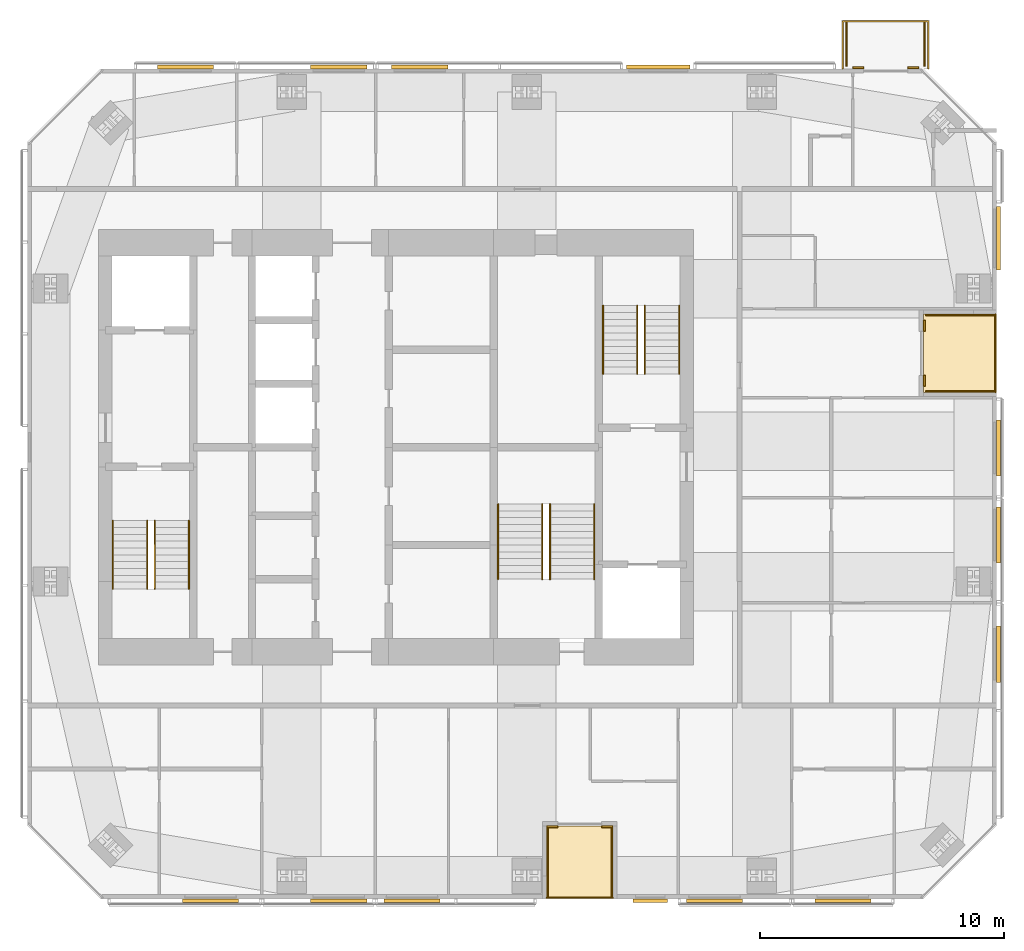
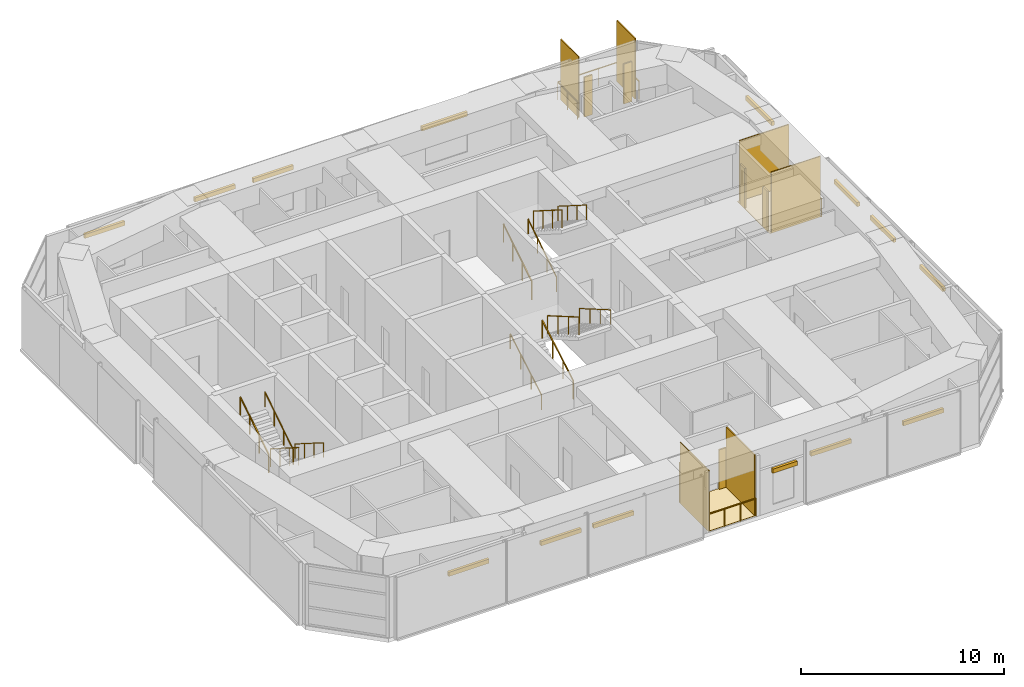
# One storey, part 20 of 20: 26 shading devices, 15 railings, 2 coverings.
"""IFC4 building model written with IfcOpenShell, lengths in metres."""

from ifc_helpers import new_model, si_unit, direction, frame, origin, origin_2d, place, context, subcontext, project, spatial, polyline, rectangle, circle, outline, extrude, material, layer, layer_set, constituent, constituent_set, type_object, element, save


model = new_model("IFC4")

# Units and contexts
model_context = context("Model", 3, precision=1e-05, world=origin(), true_north=direction((0.0, 1.0)))
body_context = subcontext(model_context, "Body", "Model", "MODEL_VIEW")
ifc_project = project(units=[si_unit("LENGTHUNIT", "METRE"), si_unit("AREAUNIT", "SQUARE_METRE"), si_unit("VOLUMEUNIT", "CUBIC_METRE"), si_unit("PLANEANGLEUNIT", "RADIAN"), si_unit("MASSUNIT", "GRAM", prefix="KILO")], contexts=[model_context])

# Site, building, storey
site_placement = place(None, origin())
site = spatial("IfcSite", under=ifc_project, at=site_placement, CompositionType="ELEMENT")
building_placement = place(site_placement, origin())
building = spatial("IfcBuilding", under=site, at=building_placement, Name="Jalousie Tower", CompositionType="ELEMENT")
storey_placement = place(building_placement, frame((0.0, 0.0, 259.949951171875)))
storey = spatial("IfcBuildingStorey", under=building, at=storey_placement, Name="L71", CompositionType="ELEMENT", Elevation=259.949951171875)

# Shading devices
ifc_material_1 = material(Name="Aluminium impact-rated louvred storm shutter", Category="aluminium")
shading_device_type_1 = type_object("IfcShadingDeviceType", Name="BI-FOLD STORM SHUTTER 900x2400", PredefinedType="SHUTTER", material=ifc_material_1)
for number, where, z_axis, x_axis, name in (
    (1, (38.300048828125, 2.9599609375, 0.0), (0.0, 0.0, 1.0), (1.0, 0.0, 0.0), "Loggia storm shutter L71"),
    (2, (40.550048828125, 2.9599609375, 0.0), (0.0, 0.0, 1.0), (1.0, 0.0, 0.0), "Loggia storm shutter L71"),
    (3, (53.5400390625, 21.22509765625, 0.0), (0.0, 0.0, 1.0), (0.0, 1.0, 0.0), "Loggia storm shutter L71"),
    (4, (53.5400390625, 23.47509765625, 0.0), (0.0, 0.0, 1.0), (0.0, 1.0, 0.0), "Loggia storm shutter L71"),
    (5, (53.07373046875, 34.0400390625, 0.0), (0.0, 0.0, 1.0), (-1.0, 0.0, 0.0), "Balcony storm shutter L71"),
    (6, (50.82373046875, 34.0400390625, 0.0), (0.0, 0.0, 1.0), (-1.0, 0.0, 0.0), "Balcony storm shutter L71"),
):
    element("IfcShadingDevice", number, at=place(storey_placement, frame(where, z_axis=z_axis, x_axis=x_axis)), inside=storey, type_object=shading_device_type_1, Name=name, PredefinedType="SHUTTER", context=body_context, shape_type="SweptSolid", body=[
        extrude(rectangle(XDim=0.449951171875, YDim=0.080078125, at=origin_2d()), origin(), (0.0, 0.0, 1.0), 2.39990234375),
    ])

# Railings
ifc_material_2 = material(Name="Powder-coated aluminium fretwork", Category="aluminium")
railing_type_1 = type_object("IfcRailingType", Name="FRETWORK BALUSTRADE 1100", PredefinedType="BALUSTRADE", material=ifc_material_2)
railing_1_placement = place(storey_placement, frame((38.074951171875, 0.050048828125, 0.0)))
element("IfcRailing", 7, at=railing_1_placement, inside=storey, type_object=railing_type_1, Name="Loggia fretwork balustrade L71", PredefinedType="BALUSTRADE", context=body_context, shape_type="SweptSolid", body=[
    extrude(rectangle(XDim=0.048095703125, YDim=0.048095703125, at=origin_2d()), frame((0.0, 0.0, 1.076171875), z_axis=(1.0, 0.0, 0.0), x_axis=(0.0, 1.0, 0.0)), (0.0, 0.0, 1.0), 2.699951171875),
    extrude(circle(Radius=0.02099609375, at=origin_2d()), origin(), (0.0, 0.0, 1.0), 1.052001953125),
    extrude(circle(Radius=0.02099609375, at=origin_2d()), frame((0.89990234375, 0.0, 0.0)), (0.0, 0.0, 1.0), 1.052001953125),
    extrude(circle(Radius=0.02099609375, at=origin_2d()), frame((1.800048828125, 0.0, 0.0)), (0.0, 0.0, 1.0), 1.052001953125),
    extrude(circle(Radius=0.02099609375, at=origin_2d()), frame((2.699951171875, 0.0, 0.0)), (0.0, 0.0, 1.0), 1.052001953125),
])
railing_2_placement = place(storey_placement, frame((56.449951171875, 20.75, 0.0)))
element("IfcRailing", 8, at=railing_2_placement, inside=storey, type_object=railing_type_1, Name="Loggia fretwork balustrade L71", PredefinedType="BALUSTRADE", context=body_context, shape_type="SweptSolid", body=[
    extrude(rectangle(XDim=0.048095703125, YDim=0.048095703125, at=origin_2d()), frame((0.0, 0.0, 1.076171875), z_axis=(0.0, 1.0, 0.0), x_axis=(-1.0, 0.0, 0.0)), (0.0, 0.0, 1.0), 3.199951171875),
    extrude(circle(Radius=0.02099609375, at=origin_2d()), origin(), (0.0, 0.0, 1.0), 1.052001953125),
    extrude(circle(Radius=0.02099609375, at=origin_2d()), frame((0.0, 1.066650390625, 0.0)), (0.0, 0.0, 1.0), 1.052001953125),
    extrude(circle(Radius=0.02099609375, at=origin_2d()), frame((0.0, 2.13330078125, 0.0)), (0.0, 0.0, 1.0), 1.052001953125),
    extrude(circle(Radius=0.02099609375, at=origin_2d()), frame((0.0, 3.199951171875, 0.0)), (0.0, 0.0, 1.0), 1.052001953125),
])
railing_3_placement = place(storey_placement, frame((53.69873046875, 34.0, 0.0)))
element("IfcRailing", 9, at=railing_3_placement, inside=storey, type_object=railing_type_1, Name="Balcony fretwork balustrade L71", PredefinedType="BALUSTRADE", context=body_context, shape_type="SweptSolid", body=[
    extrude(rectangle(XDim=0.048095703125, YDim=0.048095703125, at=origin_2d()), frame((0.0, 0.0, 1.076171875), z_axis=(0.0, 1.0, 0.0), x_axis=(-1.0, 0.0, 0.0)), (0.0, 0.0, 1.0), 1.949951171875),
    extrude(rectangle(XDim=0.048095703125, YDim=0.048095703125, at=origin_2d()), frame((0.0, 1.949951171875, 1.076171875), z_axis=(-1.0, 0.0, 0.0), x_axis=(0.0, -1.0, 0.0)), (0.0, 0.0, 1.0), 3.5),
    extrude(rectangle(XDim=0.048095703125, YDim=0.048095703125, at=origin_2d()), frame((-3.5, 1.949951171875, 1.076171875), z_axis=(0.0, -1.0, 0.0), x_axis=(1.0, 0.0, 0.0)), (0.0, 0.0, 1.0), 1.949951171875),
    extrude(circle(Radius=0.02099609375, at=origin_2d()), origin(), (0.0, 0.0, 1.0), 1.052001953125),
    extrude(circle(Radius=0.02099609375, at=origin_2d()), frame((0.0, 0.97509765625, 0.0)), (0.0, 0.0, 1.0), 1.052001953125),
    extrude(circle(Radius=0.02099609375, at=origin_2d()), frame((0.0, 1.949951171875, 0.0)), (0.0, 0.0, 1.0), 1.052001953125),
    extrude(circle(Radius=0.02099609375, at=origin_2d()), frame((-1.166748046875, 1.949951171875, 0.0)), (0.0, 0.0, 1.0), 1.052001953125),
    extrude(circle(Radius=0.02099609375, at=origin_2d()), frame((-2.333251953125, 1.949951171875, 0.0)), (0.0, 0.0, 1.0), 1.052001953125),
    extrude(circle(Radius=0.02099609375, at=origin_2d()), frame((-3.5, 1.949951171875, 0.0)), (0.0, 0.0, 1.0), 1.052001953125),
    extrude(circle(Radius=0.02099609375, at=origin_2d()), frame((-3.5, 0.97509765625, 0.0)), (0.0, 0.0, 1.0), 1.052001953125),
    extrude(circle(Radius=0.02099609375, at=origin_2d()), frame((-3.5, 0.0, 0.0)), (0.0, 0.0, 1.0), 1.052001953125),
])

# Shading devices
ifc_material_3 = material(Name="Powder-coated aluminium louvres", Category="aluminium")
ifc_layer_1 = layer(ifc_material_3, 0.06005859375)
ifc_layer_set_1 = layer_set([ifc_layer_1], Name="Powder-coated aluminium louvres")
shading_device_type_2 = type_object("IfcShadingDeviceType", Name="JALOUSIE LOUVRE SCREEN", PredefinedType="JALOUSIE", material=ifc_layer_set_1)
for number, where, z_axis, x_axis, name in (
    (10, (38.10498046875, 1.5, 0.0), (0.0, 0.0, 1.0), (1.0, 0.0, 0.0), "Loggia jalousie louvre screen L71"),
    (11, (40.7451171875, 1.5, 0.0), (0.0, 0.0, 1.0), (1.0, 0.0, 0.0), "Loggia jalousie louvre screen L71"),
    (12, (55.0, 20.780029296875, 0.0), (0.0, 0.0, 1.0), (0.0, 1.0, 0.0), "Loggia jalousie louvre screen L71"),
    (13, (55.0, 23.919921875, 0.0), (0.0, 0.0, 1.0), (0.0, 1.0, 0.0), "Loggia jalousie louvre screen L71"),
):
    element("IfcShadingDevice", number, at=place(storey_placement, frame(where, z_axis=z_axis, x_axis=x_axis)), inside=storey, type_object=shading_device_type_2, Name=name, PredefinedType="JALOUSIE", context=body_context, shape_type="SweptSolid", body=[
        extrude(rectangle(XDim=0.06005859375, YDim=2.800048828125, at=origin_2d()), origin(), (0.0, 0.0, 1.0), 3.659912109375),
    ])
for number, where, z_axis, x_axis, name in (
    (14, (53.548583984375, 35.0, 0.0), (0.0, 0.0, 1.0), (-1.0, 0.0, 0.0), "Jalousie louvre screen L71"),
    (15, (50.3486328125, 35.0, 0.0), (0.0, 0.0, 1.0), (-1.0, 0.0, 0.0), "Jalousie louvre screen L71"),
):
    element("IfcShadingDevice", number, at=place(storey_placement, frame(where, z_axis=z_axis, x_axis=x_axis)), inside=storey, type_object=shading_device_type_2, Name=name, PredefinedType="JALOUSIE", context=body_context, shape_type="SweptSolid", body=[
        extrude(rectangle(XDim=0.06005859375, YDim=1.800048828125, at=origin_2d()), origin(), (0.0, 0.0, 1.0), 3.659912109375),
    ])

# Railings
ifc_material_4 = material(Name="Steel ASTM A500 Grade C", Category="steel")
ifc_constituent_1 = constituent(ifc_material_4, Name="Body")
ifc_material_5 = material(Name="Hot-dip galvanised zinc coating")
ifc_constituent_2 = constituent(ifc_material_5, Name="Finish")
ifc_constituent_set_1 = constituent_set(constituents=[ifc_constituent_1, ifc_constituent_2])
railing_type_2 = type_object("IfcRailingType", Name="STAIR GUARD 1100", PredefinedType="GUARDRAIL", material=ifc_constituent_set_1)
railing_4_placement = place(storey_placement, frame((22.017578125, 15.49755859375, 0.17724609375)))
element("IfcRailing", 16, at=railing_4_placement, inside=storey, type_object=railing_type_2, Name="Exit stair A guard L71 flight 1", PredefinedType="GUARDRAIL", context=body_context, shape_type="SweptSolid", body=[
    extrude(rectangle(XDim=0.048095703125, YDim=0.048095703125, at=origin_2d()), frame((0.0, 0.0, 1.076171875), z_axis=(0.0, -0.844908973607, 0.534910110503), x_axis=(1.0, 0.0, 0.0)), (0.0, 0.0, 1.0), 3.31396484375),
    extrude(circle(Radius=0.02099609375, at=origin_2d()), origin(), (0.0, 0.0, 1.0), 1.052001953125),
    extrude(circle(Radius=0.02099609375, at=origin_2d()), frame((0.0, -0.933349609375, 0.5908203125)), (0.0, 0.0, 1.0), 1.052001953125),
    extrude(circle(Radius=0.02099609375, at=origin_2d()), frame((0.0, -1.86669921875, 1.181884765625)), (0.0, 0.0, 1.0), 1.052001953125),
    extrude(circle(Radius=0.02099609375, at=origin_2d()), frame((0.0, -2.800048828125, 1.772705078125)), (0.0, 0.0, 1.0), 1.052001953125),
])
for number, where, name in (
    (17, (20.304931640625, 12.697509765625, 2.12744140625), "Exit stair A guard L71 flight 2"),
    (18, (40.3798828125, 21.50244140625, 0.17724609375), "Exit stair B guard L71 flight 1"),
):
    element("IfcRailing", number, at=place(storey_placement, frame(where)), inside=storey, type_object=railing_type_2, Name=name, PredefinedType="GUARDRAIL", context=body_context, shape_type="SweptSolid", body=[
        extrude(rectangle(XDim=0.048095703125, YDim=0.048095703125, at=origin_2d()), frame((0.0, 0.0, 1.076171875), z_axis=(0.0, 0.844908973607, 0.534910110503), x_axis=(-1.0, 0.0, 0.0)), (0.0, 0.0, 1.0), 3.31396484375),
        extrude(circle(Radius=0.02099609375, at=origin_2d()), origin(), (0.0, 0.0, 1.0), 1.052001953125),
        extrude(circle(Radius=0.02099609375, at=origin_2d()), frame((0.0, 0.933349609375, 0.5908203125)), (0.0, 0.0, 1.0), 1.052001953125),
        extrude(circle(Radius=0.02099609375, at=origin_2d()), frame((0.0, 1.86669921875, 1.181884765625)), (0.0, 0.0, 1.0), 1.052001953125),
        extrude(circle(Radius=0.02099609375, at=origin_2d()), frame((0.0, 2.800048828125, 1.772705078125)), (0.0, 0.0, 1.0), 1.052001953125),
    ])
railing_5_placement = place(storey_placement, frame((42.092529296875, 24.302490234375, 2.12744140625)))
element("IfcRailing", 19, at=railing_5_placement, inside=storey, type_object=railing_type_2, Name="Exit stair B guard L71 flight 2", PredefinedType="GUARDRAIL", context=body_context, shape_type="SweptSolid", body=[
    extrude(rectangle(XDim=0.048095703125, YDim=0.048095703125, at=origin_2d()), frame((0.0, 0.0, 1.076171875), z_axis=(0.0, -0.844908973607, 0.534910110503), x_axis=(1.0, 0.0, 0.0)), (0.0, 0.0, 1.0), 3.31396484375),
    extrude(circle(Radius=0.02099609375, at=origin_2d()), origin(), (0.0, 0.0, 1.0), 1.052001953125),
    extrude(circle(Radius=0.02099609375, at=origin_2d()), frame((0.0, -0.933349609375, 0.5908203125)), (0.0, 0.0, 1.0), 1.052001953125),
    extrude(circle(Radius=0.02099609375, at=origin_2d()), frame((0.0, -1.86669921875, 1.181884765625)), (0.0, 0.0, 1.0), 1.052001953125),
    extrude(circle(Radius=0.02099609375, at=origin_2d()), frame((0.0, -2.800048828125, 1.772705078125)), (0.0, 0.0, 1.0), 1.052001953125),
])
railing_6_placement = place(storey_placement, frame((37.89501953125, 13.097412109375, 0.16259765625)))
element("IfcRailing", 20, at=railing_6_placement, inside=storey, type_object=railing_type_2, Name="Exit stair C guard L71 flight 1", PredefinedType="GUARDRAIL", context=body_context, shape_type="SweptSolid", body=[
    extrude(rectangle(XDim=0.048095703125, YDim=0.048095703125, at=origin_2d()), frame((0.0, 0.0, 1.076171875), z_axis=(0.0, 0.864920483161, 0.501908913857), x_axis=(-1.0, 0.0, 0.0)), (0.0, 0.0, 1.0), 3.56103515625),
    extrude(circle(Radius=0.02099609375, at=origin_2d()), origin(), (0.0, 0.0, 1.0), 1.052001953125),
    extrude(circle(Radius=0.02099609375, at=origin_2d()), frame((0.0, 1.026611328125, 0.595703125)), (0.0, 0.0, 1.0), 1.052001953125),
    extrude(circle(Radius=0.02099609375, at=origin_2d()), frame((0.0, 2.053466796875, 1.191650390625)), (0.0, 0.0, 1.0), 1.052001953125),
    extrude(circle(Radius=0.02099609375, at=origin_2d()), frame((0.0, 3.080078125, 1.787353515625)), (0.0, 0.0, 1.0), 1.052001953125),
])
railing_7_placement = place(storey_placement, frame((38.205078125, 16.177490234375, 2.112548828125)))
element("IfcRailing", 21, at=railing_7_placement, inside=storey, type_object=railing_type_2, Name="Exit stair C guard L71 flight 2", PredefinedType="GUARDRAIL", context=body_context, shape_type="SweptSolid", body=[
    extrude(rectangle(XDim=0.048095703125, YDim=0.048095703125, at=origin_2d()), frame((0.0, 0.0, 1.076171875), z_axis=(0.0, -0.864890721111, 0.501960198159), x_axis=(1.0, 0.0, 0.0)), (0.0, 0.0, 1.0), 3.561279296875),
    extrude(circle(Radius=0.02099609375, at=origin_2d()), origin(), (0.0, 0.0, 1.0), 1.052001953125),
    extrude(circle(Radius=0.02099609375, at=origin_2d()), frame((0.0, -1.026611328125, 0.595947265625)), (0.0, 0.0, 1.0), 1.052001953125),
    extrude(circle(Radius=0.02099609375, at=origin_2d()), frame((0.0, -2.053466796875, 1.191650390625)), (0.0, 0.0, 1.0), 1.052001953125),
    extrude(circle(Radius=0.02099609375, at=origin_2d()), frame((0.0, -3.080078125, 1.78759765625)), (0.0, 0.0, 1.0), 1.052001953125),
])
ifc_material_6 = material(Name="Steel ASTM A500 Grade C", Category="steel")
ifc_constituent_3 = constituent(ifc_material_6, Name="Body")
ifc_material_7 = material(Name="Hot-dip galvanised zinc coating")
ifc_constituent_4 = constituent(ifc_material_7, Name="Finish")
ifc_constituent_set_2 = constituent_set(constituents=[ifc_constituent_3, ifc_constituent_4])
railing_type_3 = type_object("IfcRailingType", Name="STAIR HANDRAIL 900", PredefinedType="HANDRAIL", material=ifc_constituent_set_2)
railing_8_placement = place(storey_placement, frame((23.420166015625, 15.49755859375, 0.17724609375)))
element("IfcRailing", 22, at=railing_8_placement, inside=storey, type_object=railing_type_3, Name="Exit stair A handrail L71 flight 1", PredefinedType="HANDRAIL", context=body_context, shape_type="SweptSolid", body=[
    extrude(circle(Radius=0.02392578125, at=origin_2d()), frame((0.0, 0.0, 0.8759765625), z_axis=(0.0, -0.844908973607, 0.534910110503), x_axis=(1.0, 0.0, 0.0)), (0.0, 0.0, 1.0), 3.31396484375),
    extrude(circle(Radius=0.02099609375, at=origin_2d()), origin(), (0.0, 0.0, 1.0), 0.851806640625),
    extrude(circle(Radius=0.02099609375, at=origin_2d()), frame((0.0, -0.933349609375, 0.5908203125)), (0.0, 0.0, 1.0), 0.851806640625),
    extrude(circle(Radius=0.02099609375, at=origin_2d()), frame((0.0, -1.86669921875, 1.181884765625)), (0.0, 0.0, 1.0), 0.851806640625),
    extrude(circle(Radius=0.02099609375, at=origin_2d()), frame((0.0, -2.800048828125, 1.772705078125)), (0.0, 0.0, 1.0), 0.851806640625),
])
for number, where, name in (
    (23, (21.70751953125, 12.697509765625, 2.12744140625), "Exit stair A handrail L71 flight 2"),
    (24, (41.782470703125, 21.50244140625, 0.17724609375), "Exit stair B handrail L71 flight 1"),
):
    element("IfcRailing", number, at=place(storey_placement, frame(where)), inside=storey, type_object=railing_type_3, Name=name, PredefinedType="HANDRAIL", context=body_context, shape_type="SweptSolid", body=[
        extrude(circle(Radius=0.02392578125, at=origin_2d()), frame((0.0, 0.0, 0.8759765625), z_axis=(0.0, 0.844908973607, 0.534910110503), x_axis=(-1.0, 0.0, 0.0)), (0.0, 0.0, 1.0), 3.31396484375),
        extrude(circle(Radius=0.02099609375, at=origin_2d()), origin(), (0.0, 0.0, 1.0), 0.851806640625),
        extrude(circle(Radius=0.02099609375, at=origin_2d()), frame((0.0, 0.933349609375, 0.5908203125)), (0.0, 0.0, 1.0), 0.851806640625),
        extrude(circle(Radius=0.02099609375, at=origin_2d()), frame((0.0, 1.86669921875, 1.181884765625)), (0.0, 0.0, 1.0), 0.851806640625),
        extrude(circle(Radius=0.02099609375, at=origin_2d()), frame((0.0, 2.800048828125, 1.772705078125)), (0.0, 0.0, 1.0), 0.851806640625),
    ])
railing_9_placement = place(storey_placement, frame((43.4951171875, 24.302490234375, 2.12744140625)))
element("IfcRailing", 25, at=railing_9_placement, inside=storey, type_object=railing_type_3, Name="Exit stair B handrail L71 flight 2", PredefinedType="HANDRAIL", context=body_context, shape_type="SweptSolid", body=[
    extrude(circle(Radius=0.02392578125, at=origin_2d()), frame((0.0, 0.0, 0.8759765625), z_axis=(0.0, -0.844908973607, 0.534910110503), x_axis=(1.0, 0.0, 0.0)), (0.0, 0.0, 1.0), 3.31396484375),
    extrude(circle(Radius=0.02099609375, at=origin_2d()), origin(), (0.0, 0.0, 1.0), 0.851806640625),
    extrude(circle(Radius=0.02099609375, at=origin_2d()), frame((0.0, -0.933349609375, 0.5908203125)), (0.0, 0.0, 1.0), 0.851806640625),
    extrude(circle(Radius=0.02099609375, at=origin_2d()), frame((0.0, -1.86669921875, 1.181884765625)), (0.0, 0.0, 1.0), 0.851806640625),
    extrude(circle(Radius=0.02099609375, at=origin_2d()), frame((0.0, -2.800048828125, 1.772705078125)), (0.0, 0.0, 1.0), 0.851806640625),
])
railing_10_placement = place(storey_placement, frame((36.080078125, 13.097412109375, 0.16259765625)))
element("IfcRailing", 26, at=railing_10_placement, inside=storey, type_object=railing_type_3, Name="Exit stair C handrail L71 flight 1", PredefinedType="HANDRAIL", context=body_context, shape_type="SweptSolid", body=[
    extrude(circle(Radius=0.02392578125, at=origin_2d()), frame((0.0, 0.0, 0.8759765625), z_axis=(0.0, 0.864920483161, 0.501908913857), x_axis=(-1.0, 0.0, 0.0)), (0.0, 0.0, 1.0), 3.56103515625),
    extrude(circle(Radius=0.02099609375, at=origin_2d()), origin(), (0.0, 0.0, 1.0), 0.851806640625),
    extrude(circle(Radius=0.02099609375, at=origin_2d()), frame((0.0, 1.026611328125, 0.595703125)), (0.0, 0.0, 1.0), 0.851806640625),
    extrude(circle(Radius=0.02099609375, at=origin_2d()), frame((0.0, 2.053466796875, 1.191650390625)), (0.0, 0.0, 1.0), 0.851806640625),
    extrude(circle(Radius=0.02099609375, at=origin_2d()), frame((0.0, 3.080078125, 1.787353515625)), (0.0, 0.0, 1.0), 0.851806640625),
])
railing_11_placement = place(storey_placement, frame((40.02001953125, 16.177490234375, 2.112548828125)))
element("IfcRailing", 27, at=railing_11_placement, inside=storey, type_object=railing_type_3, Name="Exit stair C handrail L71 flight 2", PredefinedType="HANDRAIL", context=body_context, shape_type="SweptSolid", body=[
    extrude(circle(Radius=0.02392578125, at=origin_2d()), frame((0.0, 0.0, 0.8759765625), z_axis=(0.0, -0.864890721111, 0.501960198159), x_axis=(1.0, 0.0, 0.0)), (0.0, 0.0, 1.0), 3.561279296875),
    extrude(circle(Radius=0.02099609375, at=origin_2d()), origin(), (0.0, 0.0, 1.0), 0.851806640625),
    extrude(circle(Radius=0.02099609375, at=origin_2d()), frame((0.0, -1.026611328125, 0.595947265625)), (0.0, 0.0, 1.0), 0.851806640625),
    extrude(circle(Radius=0.02099609375, at=origin_2d()), frame((0.0, -2.053466796875, 1.191650390625)), (0.0, 0.0, 1.0), 0.851806640625),
    extrude(circle(Radius=0.02099609375, at=origin_2d()), frame((0.0, -3.080078125, 1.78759765625)), (0.0, 0.0, 1.0), 0.851806640625),
])

# Shading devices
ifc_material_8 = material(Name="Aluminium roller storm shutter", Category="aluminium")
shading_device_type_3 = type_object("IfcShadingDeviceType", Name="STORM SHUTTER HOUSING", PredefinedType="SHUTTER", material=ifc_material_8)
for number, where, z_axis, x_axis, name in (
    (28, (24.300048828125, -0.074951171875, 2.650146484375), (0.0, 0.0, 1.0), (1.0, 0.0, 0.0), "Storm shutter L71"),
    (29, (29.55615234375, -0.074951171875, 2.650146484375), (0.0, 0.0, 1.0), (1.0, 0.0, 0.0), "Storm shutter L71"),
    (30, (32.550048828125, -0.074951171875, 2.650146484375), (0.0, 0.0, 1.0), (1.0, 0.0, 0.0), "Storm shutter L71"),
):
    element("IfcShadingDevice", number, at=place(storey_placement, frame(where, z_axis=z_axis, x_axis=x_axis)), inside=storey, type_object=shading_device_type_3, Name=name, PredefinedType="SHUTTER", context=body_context, shape_type="SweptSolid", body=[
        extrude(rectangle(XDim=2.300048828125, YDim=0.14990234375, at=origin_2d()), origin(), (0.0, 0.0, 1.0), 0.25),
    ])
shading_device_placement = place(storey_placement, frame((42.31103515625, -0.074951171875, 2.400146484375), z_axis=(0.0, 0.0, 1.0), x_axis=(1.0, 0.0, 0.0)))
element("IfcShadingDevice", 31, at=shading_device_placement, inside=storey, type_object=shading_device_type_3, Name="Storm shutter L71", PredefinedType="SHUTTER", context=body_context, shape_type="SweptSolid", body=[
    extrude(rectangle(XDim=1.39990234375, YDim=0.14990234375, at=origin_2d()), origin(), (0.0, 0.0, 1.0), 0.25),
])
for number, where, z_axis, x_axis, name in (
    (32, (44.94384765625, -0.074951171875, 2.650146484375), (0.0, 0.0, 1.0), (1.0, 0.0, 0.0), "Storm shutter L71"),
    (33, (50.199951171875, -0.074951171875, 2.650146484375), (0.0, 0.0, 1.0), (1.0, 0.0, 0.0), "Storm shutter L71"),
    (34, (56.574951171875, 10.02490234375, 2.650146484375), (0.0, 0.0, 1.0), (0.0, 1.0, 0.0), "Storm shutter L71"),
    (35, (56.574951171875, 14.905029296875, 2.650146484375), (0.0, 0.0, 1.0), (0.0, 1.0, 0.0), "Storm shutter L71"),
    (36, (56.574951171875, 18.47509765625, 2.650146484375), (0.0, 0.0, 1.0), (0.0, 1.0, 0.0), "Storm shutter L71"),
):
    element("IfcShadingDevice", number, at=place(storey_placement, frame(where, z_axis=z_axis, x_axis=x_axis)), inside=storey, type_object=shading_device_type_3, Name=name, PredefinedType="SHUTTER", context=body_context, shape_type="SweptSolid", body=[
        extrude(rectangle(XDim=2.300048828125, YDim=0.14990234375, at=origin_2d()), origin(), (0.0, 0.0, 1.0), 0.25),
    ])
for number, where, z_axis, x_axis, name in (
    (37, (56.574951171875, 27.0537109375, 2.400146484375), (0.0, 0.0, 1.0), (0.0, 1.0, 0.0), "Storm shutter L71"),
    (38, (42.638916015625, 34.074951171875, 2.400146484375), (0.0, 0.0, 1.0), (-1.0, 0.0, 0.0), "Storm shutter L71"),
):
    element("IfcShadingDevice", number, at=place(storey_placement, frame(where, z_axis=z_axis, x_axis=x_axis)), inside=storey, type_object=shading_device_type_3, Name=name, PredefinedType="SHUTTER", context=body_context, shape_type="SweptSolid", body=[
        extrude(rectangle(XDim=2.60009765625, YDim=0.14990234375, at=origin_2d()), origin(), (0.0, 0.0, 1.0), 0.25),
    ])
for number, where, z_axis, x_axis, name in (
    (39, (32.875, 34.074951171875, 2.650146484375), (0.0, 0.0, 1.0), (-1.0, 0.0, 0.0), "Storm shutter L71"),
    (40, (29.554931640625, 34.074951171875, 2.650146484375), (0.0, 0.0, 1.0), (-1.0, 0.0, 0.0), "Storm shutter L71"),
    (41, (23.275634765625, 34.074951171875, 2.650146484375), (0.0, 0.0, 1.0), (-1.0, 0.0, 0.0), "Storm shutter L71"),
):
    element("IfcShadingDevice", number, at=place(storey_placement, frame(where, z_axis=z_axis, x_axis=x_axis)), inside=storey, type_object=shading_device_type_3, Name=name, PredefinedType="SHUTTER", context=body_context, shape_type="SweptSolid", body=[
        extrude(rectangle(XDim=2.300048828125, YDim=0.14990234375, at=origin_2d()), origin(), (0.0, 0.0, 1.0), 0.25),
    ])

# Coverings
ifc_material_9 = material(Name="Porcelain paving on adjustable pedestals", Category="masonry")
ifc_layer_2 = layer(ifc_material_9, 0.02001953125)
ifc_layer_set_2 = layer_set([ifc_layer_2], Name="Porcelain paving on adjustable pedestals")
covering_type = type_object("IfcCoveringType", Name="TERRACE PAVING 20", PredefinedType="FLOORING", material=ifc_layer_set_2)
covering_1_placement = place(storey_placement, origin())
element("IfcCovering", 42, at=covering_1_placement, inside=storey, type_object=covering_type, Name="Apartment 7101 terrace paving", PredefinedType="FLOORING", context=body_context, shape_type="SweptSolid", body=[
    extrude(outline(polyline([(38.074951171875, 0.080078125), (40.77490234375, 0.080078125), (40.77490234375, 3.0), (38.074951171875, 3.0), (38.074951171875, 0.080078125)])), origin(), (0.0, 0.0, 1.0), 0.02001953125),
])
covering_2_placement = place(storey_placement, origin())
element("IfcCovering", 43, at=covering_2_placement, inside=storey, type_object=covering_type, Name="Apartment 7103 terrace paving", PredefinedType="FLOORING", context=body_context, shape_type="SweptSolid", body=[
    extrude(outline(polyline([(56.419921875, 20.75), (56.419921875, 23.949951171875), (53.5, 23.949951171875), (53.5, 20.75), (56.419921875, 20.75)])), origin(), (0.0, 0.0, 1.0), 0.02001953125),
])

save(model, "model.ifc")
